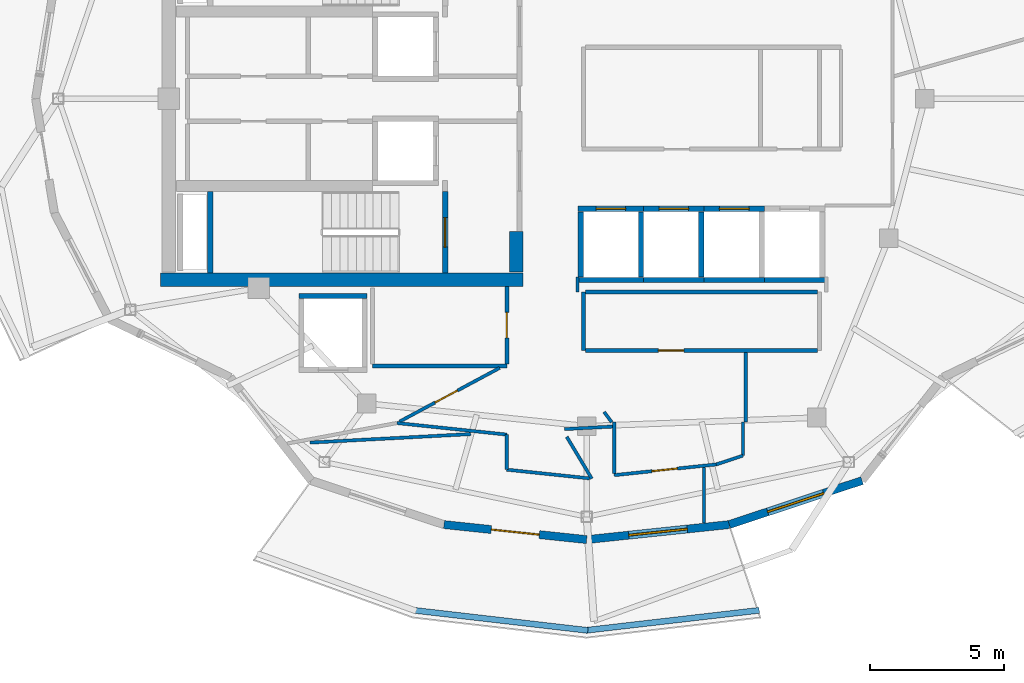
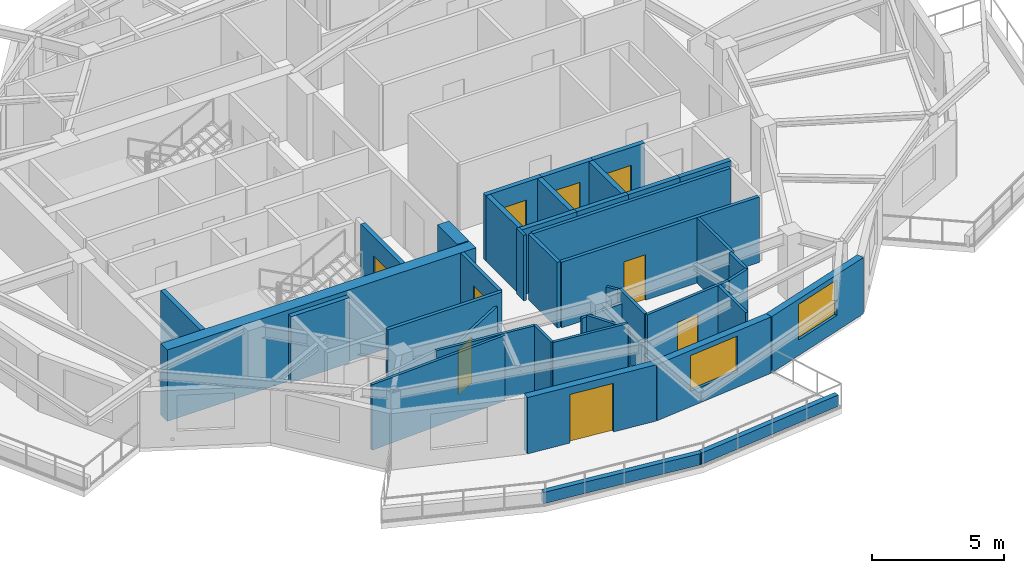
# One storey, part 3 of 11: 40 walls, 9 doors, 2 windows, 11 openings.
"""IFC4 building model written with IfcOpenShell, lengths in metres."""

from ifc_helpers import new_model, si_unit, direction, frame, frame_2d, origin, place, context, subcontext, project, spatial, rectangle, extrude, material, layer, layer_set, type_object, element, fill, save


model = new_model("IFC4")

# Units and contexts
model_context = context("Model", 3, precision=1e-05, world=origin(), true_north=direction((0.0, 1.0)))
body_context = subcontext(model_context, "Body", "Model", "MODEL_VIEW")
ifc_project = project(units=[si_unit("LENGTHUNIT", "METRE"), si_unit("AREAUNIT", "SQUARE_METRE"), si_unit("VOLUMEUNIT", "CUBIC_METRE"), si_unit("PLANEANGLEUNIT", "RADIAN"), si_unit("MASSUNIT", "GRAM", prefix="KILO")], contexts=[model_context])

# Site, building, storey
site_placement = place(None, origin())
site = spatial("IfcSite", under=ifc_project, at=site_placement, CompositionType="ELEMENT")
building_placement = place(site_placement, origin())
building = spatial("IfcBuilding", under=site, at=building_placement, Name="Kolvaren Gate Tower and Convention Centre", CompositionType="ELEMENT")
storey_placement = place(building_placement, frame((0.0, 0.0, 269.0)))
storey = spatial("IfcBuildingStorey", under=building, at=storey_placement, Name="L73", CompositionType="ELEMENT", Elevation=269.0)

# Walls
ifc_material_1 = material(Name="Fire-Rated Acoustic Gypsum Stud Partition", Category="gypsum")
ifc_layer_1 = layer(ifc_material_1, 0.1201171875)
ifc_layer_set_1 = layer_set([ifc_layer_1], Name="Fire-Rated Acoustic Gypsum Stud Partition")
wall_type_1 = type_object("IfcWallType", Name="ARCH-WL-PART-120", PredefinedType="PARTITIONING", material=ifc_layer_set_1)
wall_1_placement = place(storey_placement, frame((27.14990234375, 13.180908203125, 0.0), z_axis=(0.0, 0.0, 1.0), x_axis=(0.0, 1.0, 0.0)))
element("IfcWall", 1, at=wall_1_placement, inside=storey, type_object=wall_type_1, Name="Interior Partition WL-L73-INT-011", PredefinedType="PARTITIONING", context=body_context, shape_type="SweptSolid", body=[
    extrude(rectangle(XDim=1.30712890625, YDim=0.1201171875, at=frame_2d((0.653564453125, 0.0))), origin(), (0.0, 0.0, 1.0), 3.030029296875),
])
wall_2_placement = place(storey_placement, frame((29.780029296875, 19.800048828125, 0.0), z_axis=(0.0, 0.0, 1.0), x_axis=(0.0, 1.0, 0.0)))
element("IfcWall", 2, at=wall_2_placement, inside=storey, type_object=wall_type_1, Name="Interior Partition WL-L73-INT-037", PredefinedType="PARTITIONING", context=body_context, shape_type="SweptSolid", body=[
    extrude(rectangle(XDim=0.56005859375, YDim=0.1201171875, at=frame_2d((0.280029296875, 0.0))), origin(), (0.0, 0.0, 1.0), 3.030029296875),
])
wall_3_placement = place(storey_placement, frame((36.050048828125, 14.949951171875, 0.0), z_axis=(0.0, 0.0, 1.0), x_axis=(0.0, 1.0, 0.0)))
element("IfcWall", 3, at=wall_3_placement, inside=storey, type_object=wall_type_1, Name="Interior Partition WL-L73-INT-038", PredefinedType="PARTITIONING", context=body_context, shape_type="SweptSolid", body=[
    extrude(rectangle(XDim=2.593017578125, YDim=0.1201171875, at=frame_2d((1.29638671875, 0.0))), origin(), (0.0, 0.0, 1.0), 3.030029296875),
])
wall_4_placement = place(storey_placement, frame((35.949951171875, 13.7060546875, 0.0), z_axis=(0.0, 0.0, 1.0), x_axis=(0.0, 1.0, 0.0)))
element("IfcWall", 4, at=wall_4_placement, inside=storey, type_object=wall_type_1, Name="Interior Partition WL-L73-INT-039", PredefinedType="PARTITIONING", context=body_context, shape_type="SweptSolid", body=[
    extrude(rectangle(XDim=1.243896484375, YDim=0.1201171875, at=frame_2d((0.6220703125, 0.0))), origin(), (0.0, 0.0, 1.0), 3.030029296875),
])
wall_5_placement = place(storey_placement, frame((34.955078125, 13.3759765625, 0.0), z_axis=(0.0, 0.0, 1.0), x_axis=(0.949124905871, 0.314899846071, 0.0)))
element("IfcWall", 5, at=wall_5_placement, inside=storey, type_object=wall_type_1, Name="Interior Partition WL-L73-INT-040", PredefinedType="PARTITIONING", context=body_context, shape_type="SweptSolid", body=[
    extrude(rectangle(XDim=1.048095703125, YDim=0.1201171875, at=frame_2d((0.52392578125, 0.0))), origin(), (0.0, 0.0, 1.0), 3.030029296875),
])

# Wall, opening, door
wall_6_placement = place(storey_placement, frame((31.14990234375, 12.97607421875, 0.0), z_axis=(0.0, 0.0, 1.0), x_axis=(0.994522920899, 0.104518705533, 0.0)))
wall_6 = element("IfcWall", 6, at=wall_6_placement, inside=storey, type_object=wall_type_1, Name="Interior Partition WL-L73-INT-041", PredefinedType="PARTITIONING", context=body_context, shape_type="SweptSolid", body=[
    extrude(rectangle(XDim=3.826171875, YDim=0.1201171875, at=frame_2d((1.9130859375, 0.0))), origin(), (0.0, 0.0, 1.0), 3.030029296875),
])
opening_1_placement = place(wall_6_placement, frame((1.414794921875, 0.0, 0.0)))
opening_1 = element("IfcOpeningElement", 7, at=opening_1_placement, cuts=wall_6, Name="Opening DR-01", PredefinedType="OPENING", context=body_context, shape_type="SweptSolid", body=[
    extrude(rectangle(XDim=0.949951171875, YDim=2.10009765625, at=frame_2d((0.47509765625, 1.050048828125))), frame((0.0, 0.070068359375, 0.0), z_axis=(0.0, -1.0, 0.0), x_axis=(1.0, 0.0, 0.0)), (0.0, 0.0, 1.0), 0.14013671875),
])
ifc_material_2 = material(Name="Painted Architectural Steelwork ASTM A500 Grade C 345 MPa", Category="steel")
door_type_1 = type_object("IfcDoorType", Name="ARCH-DR-RISER-950", OperationType="SINGLE_SWING_RIGHT", PredefinedType="DOOR", material=ifc_material_2)
door_1_placement = place(opening_1_placement, origin())
door_1 = element("IfcDoor", 8, at=door_1_placement, inside=storey, type_object=door_type_1, Name="Sky Villa Concierge Foyer Door", OperationType="SINGLE_SWING_RIGHT", OverallHeight=2.10009765625, OverallWidth=0.949951171875, PredefinedType="DOOR", context=body_context, shape_type="SweptSolid", body=[
    extrude(rectangle(XDim=0.949951171875, YDim=2.10009765625, at=frame_2d((0.47509765625, 1.050048828125))), frame((0.0, 0.02490234375, 0.0), z_axis=(0.0, -1.0, 0.0), x_axis=(1.0, 0.0, 0.0)), (0.0, 0.0, 1.0), 0.050048828125),
])
fill(opening_1, door_1)

# Walls
wall_7_placement = place(storey_placement, frame((31.14990234375, 13.038330078125, 0.0), z_axis=(0.0, 0.0, 1.0), x_axis=(0.0, 1.0, 0.0)))
element("IfcWall", 9, at=wall_7_placement, inside=storey, type_object=wall_type_1, Name="Interior Partition WL-L73-INT-042", PredefinedType="PARTITIONING", context=body_context, shape_type="SweptSolid", body=[
    extrude(rectangle(XDim=1.91162109375, YDim=0.1201171875, at=frame_2d((0.955810546875, 0.0))), origin(), (0.0, 0.0, 1.0), 3.030029296875),
])
wall_8_placement = place(storey_placement, frame((30.77392578125, 15.3330078125, 0.0), z_axis=(0.0, 0.0, 1.0), x_axis=(0.595814974861, -0.803121731577, 0.0)))
element("IfcWall", 10, at=wall_8_placement, inside=storey, type_object=wall_type_1, Name="Interior Partition WL-L73-INT-043", PredefinedType="PARTITIONING", context=body_context, shape_type="SweptSolid", body=[
    extrude(rectangle(XDim=0.47705078125, YDim=0.1201171875, at=frame_2d((0.238525390625, 0.0))), origin(), (0.0, 0.0, 1.0), 3.030029296875),
])
wall_9_placement = place(storey_placement, frame((29.384033203125, 14.404052734375, 0.0), z_axis=(0.0, 0.0, 1.0), x_axis=(0.513922040123, -0.857836893982, 0.0)))
element("IfcWall", 11, at=wall_9_placement, inside=storey, type_object=wall_type_1, Name="Interior Partition WL-L73-INT-044", PredefinedType="PARTITIONING", context=body_context, shape_type="SweptSolid", body=[
    extrude(rectangle(XDim=1.815185546875, YDim=0.1201171875, at=frame_2d((0.90771484375, 0.0))), origin(), (0.0, 0.0, 1.0), 2.77001953125),
])
wall_10_placement = place(storey_placement, frame((27.14990234375, 13.180908203125, 0.0), z_axis=(0.0, 0.0, 1.0), x_axis=(0.994482609393, -0.104901571076, 0.0)))
element("IfcWall", 12, at=wall_10_placement, inside=storey, type_object=wall_type_1, Name="Interior Partition WL-L73-INT-045", PredefinedType="PARTITIONING", context=body_context, shape_type="SweptSolid", body=[
    extrude(rectangle(XDim=3.10693359375, YDim=0.1201171875, at=frame_2d((1.553466796875, 0.0))), origin(), (0.0, 0.0, 1.0), 3.030029296875),
])
wall_11_placement = place(storey_placement, frame((23.054931640625, 14.9189453125, 0.0), z_axis=(0.0, 0.0, 1.0), x_axis=(0.994509026122, -0.104650833548, 0.0)))
element("IfcWall", 13, at=wall_11_placement, inside=storey, type_object=wall_type_1, Name="Interior Partition WL-L73-INT-046", PredefinedType="PARTITIONING", context=body_context, shape_type="SweptSolid", body=[
    extrude(rectangle(XDim=4.11767578125, YDim=0.1201171875, at=frame_2d((2.058837890625, 0.0))), origin(), (0.0, 0.0, 1.0), 3.030029296875),
])

# Wall, opening, door
wall_12_placement = place(storey_placement, frame((23.152099609375, 14.97119140625, 0.0), z_axis=(0.0, 0.0, 1.0), x_axis=(0.881315415599, 0.472528452295, 0.0)))
wall_12 = element("IfcWall", 14, at=wall_12_placement, inside=storey, type_object=wall_type_1, Name="Interior Partition WL-L73-INT-047", PredefinedType="PARTITIONING", context=body_context, shape_type="SweptSolid", body=[
    extrude(rectangle(XDim=4.236083984375, YDim=0.1201171875, at=frame_2d((2.1181640625, 0.0))), origin(), (0.0, 0.0, 1.0), 2.47802734375),
])
opening_2_placement = place(wall_12_placement, frame((1.5029296875, 0.0, 0.0)))
opening_2 = element("IfcOpeningElement", 15, at=opening_2_placement, cuts=wall_12, Name="Opening DR-01", PredefinedType="OPENING", context=body_context, shape_type="SweptSolid", body=[
    extrude(rectangle(XDim=0.949951171875, YDim=2.10009765625, at=frame_2d((0.47509765625, 1.050048828125))), frame((0.0, 0.070068359375, 0.0), z_axis=(0.0, -1.0, 0.0), x_axis=(1.0, 0.0, 0.0)), (0.0, 0.0, 1.0), 0.14013671875),
])
door_2_placement = place(opening_2_placement, origin())
door_2 = element("IfcDoor", 16, at=door_2_placement, inside=storey, type_object=door_type_1, Name="Sky Villa Concierge Foyer Door", OperationType="SINGLE_SWING_LEFT", OverallHeight=2.10009765625, OverallWidth=0.949951171875, PredefinedType="DOOR", context=body_context, shape_type="SweptSolid", body=[
    extrude(rectangle(XDim=0.949951171875, YDim=2.10009765625, at=frame_2d((0.47509765625, 1.050048828125))), frame((0.0, 0.02490234375, 0.0), z_axis=(0.0, -1.0, 0.0), x_axis=(1.0, 0.0, 0.0)), (0.0, 0.0, 1.0), 0.050048828125),
])
fill(opening_2, door_2)

# Walls
wall_13_placement = place(storey_placement, frame((19.8173828125, 14.189208984375, 0.0), z_axis=(0.0, 0.0, 1.0), x_axis=(0.99859898764, 0.05291561097, 0.0)))
element("IfcWall", 17, at=wall_13_placement, inside=storey, type_object=wall_type_1, Name="Interior Partition WL-L73-INT-051", PredefinedType="PARTITIONING", context=body_context, shape_type="SweptSolid", body=[
    extrude(rectangle(XDim=5.997802734375, YDim=0.1201171875, at=frame_2d((2.9990234375, 0.0))), origin(), (0.0, 0.0, 1.0), 3.030029296875),
])
wall_14_placement = place(storey_placement, frame((29.29296875, 14.69140625, 0.0), z_axis=(0.0, 0.0, 1.0), x_axis=(0.998595981483, 0.052972311314, 0.0)))
element("IfcWall", 18, at=wall_14_placement, inside=storey, type_object=wall_type_1, Name="Interior Partition WL-L73-INT-052", PredefinedType="PARTITIONING", context=body_context, shape_type="SweptSolid", body=[
    extrude(rectangle(XDim=1.79736328125, YDim=0.1201171875, at=frame_2d((0.898681640625, 0.0))), origin(), (0.0, 0.0, 1.0), 2.47802734375),
])
wall_15_placement = place(storey_placement, frame((34.5, 11.188720703125, 0.0), z_axis=(0.0, 0.0, 1.0), x_axis=(0.0, 1.0, 0.0)))
element("IfcWall", 19, at=wall_15_placement, inside=storey, type_object=wall_type_1, Name="Interior Partition WL-L73-INT-053", PredefinedType="PARTITIONING", context=body_context, shape_type="SweptSolid", body=[
    extrude(rectangle(XDim=2.0771484375, YDim=0.1201171875, at=frame_2d((1.03857421875, 0.0))), origin(), (0.0, 0.0, 1.0), 3.030029296875),
])
ifc_material_3 = material(Name="Piedmont Cream Honed Limestone Cladding", Category="masonry")
ifc_layer_2 = layer(ifc_material_3, 0.219970703125)
ifc_layer_set_2 = layer_set([ifc_layer_2], Name="Piedmont Cream Honed Limestone Cladding")
wall_type_2 = type_object("IfcWallType", Name="ARCH-WL-PLANTER-220", PredefinedType="PARAPET", material=ifc_layer_set_2)
for number, where, z_axis, x_axis, name in (
    (20, (23.694091796875, 7.9404296875, 0.0), (0.0, 0.0, 1.0), (0.993378231371, -0.114889901378, 0.0), "Vertical-Forest Balcony Stone Planter Kerb PK-L73-3.2"),
    (21, (30.07958984375, 7.19140625, 0.0), (0.0, 0.0, 1.0), (0.993378231371, 0.114889901378, 0.0), "Vertical-Forest Balcony Stone Planter Kerb PK-L73-3.3"),
):
    element("IfcWall", number, at=place(storey_placement, frame(where, z_axis=z_axis, x_axis=x_axis)), inside=storey, type_object=wall_type_2, Name=name, PredefinedType="PARAPET", context=body_context, shape_type="SweptSolid", body=[
        extrude(rectangle(XDim=6.51953125, YDim=0.219970703125, at=frame_2d((3.259765625, 0.0))), origin(), (0.0, 0.0, 1.0), 0.52001953125),
    ])
ifc_material_4 = material(Name="Autoclaved Aerated Masonry Blockwork Class 4 (4.0 MPa)", Category="masonry")
ifc_layer_3 = layer(ifc_material_4, 0.199951171875)
ifc_layer_set_3 = layer_set([ifc_layer_3], Name="Autoclaved Aerated Masonry Blockwork Class 4 (4.0 MPa)")
wall_type_3 = type_object("IfcWallType", Name="ARCH-WL-SHAFT-200", PredefinedType="SOLIDWALL", material=ifc_layer_set_3)
wall_16_placement = place(storey_placement, frame((19.39990234375, 19.64990234375, 0.0), z_axis=(0.0, 0.0, 1.0), x_axis=(1.0, 0.0, 0.0)))
element("IfcWall", 22, at=wall_16_placement, inside=storey, type_object=wall_type_3, Name="Elevator SV-01 L73 Fire Shaft Wall N", PredefinedType="SOLIDWALL", context=body_context, shape_type="SweptSolid", body=[
    extrude(rectangle(XDim=2.550048828125, YDim=0.199951171875, at=frame_2d((1.27490234375, 0.0))), origin(), (0.0, 0.0, 1.0), 3.030029296875),
])

# Wall, opening, door
wall_17_placement = place(storey_placement, frame((29.800048828125, 22.89990234375, 0.0), z_axis=(0.0, 0.0, 1.0), x_axis=(1.0, 0.0, 0.0)))
wall_17 = element("IfcWall", 23, at=wall_17_placement, inside=storey, type_object=wall_type_3, Name="Elevator PL-09 L73 Fire Shaft Wall N", PredefinedType="SOLIDWALL", context=body_context, shape_type="SweptSolid", body=[
    extrude(rectangle(XDim=2.449951171875, YDim=0.199951171875, at=frame_2d((1.22509765625, 0.0))), origin(), (0.0, 0.0, 1.0), 3.030029296875),
])
opening_3_placement = place(wall_17_placement, frame((0.675048828125, 0.0, 0.0)))
opening_3 = element("IfcOpeningElement", 24, at=opening_3_placement, cuts=wall_17, Name="Opening LD", PredefinedType="OPENING", context=body_context, shape_type="SweptSolid", body=[
    extrude(rectangle(XDim=1.10009765625, YDim=2.199951171875, at=frame_2d((0.550048828125, 1.10009765625))), frame((0.0, 0.10986328125, 0.0), z_axis=(0.0, -1.0, 0.0), x_axis=(1.0, 0.0, 0.0)), (0.0, 0.0, 1.0), 0.219970703125),
])
ifc_material_5 = material(Name="Brushed Stainless Steel Grade 316L", Category="steel")
door_type_2 = type_object("IfcDoorType", Name="ARCH-DR-LIFT-1100", OperationType="SLIDING_TO_LEFT", PredefinedType="DOOR", material=ifc_material_5)
door_3_placement = place(opening_3_placement, origin())
door_3 = element("IfcDoor", 25, at=door_3_placement, inside=storey, type_object=door_type_2, Name="Elevator PL-09 L73 Sliding Landing Door", OperationType="SLIDING_TO_LEFT", OverallHeight=2.199951171875, OverallWidth=1.10009765625, PredefinedType="DOOR", context=body_context, shape_type="SweptSolid", body=[
    extrude(rectangle(XDim=1.10009765625, YDim=2.199951171875, at=frame_2d((0.550048828125, 1.10009765625))), frame((0.0, 0.02490234375, 0.0), z_axis=(0.0, -1.0, 0.0), x_axis=(1.0, 0.0, 0.0)), (0.0, 0.0, 1.0), 0.050048828125),
])
fill(opening_3, door_3)

# Walls
wall_18_placement = place(storey_placement, frame((29.800048828125, 20.25, 0.0), z_axis=(0.0, 0.0, 1.0), x_axis=(1.0, 0.0, 0.0)))
element("IfcWall", 26, at=wall_18_placement, inside=storey, type_object=wall_type_3, Name="Elevator PL-09 L73 Fire Shaft Wall S", PredefinedType="SOLIDWALL", context=body_context, shape_type="SweptSolid", body=[
    extrude(rectangle(XDim=2.449951171875, YDim=0.199951171875, at=frame_2d((1.22509765625, 0.0))), origin(), (0.0, 0.0, 1.0), 3.030029296875),
])
for number, where, z_axis, x_axis, name in (
    (27, (29.89990234375, 20.360107421875, 0.0), (0.0, 0.0, 1.0), (0.0, 1.0, 0.0), "Elevator PL-09 L73 Fire Shaft Wall W"),
    (28, (32.14990234375, 20.360107421875, 0.0), (0.0, 0.0, 1.0), (0.0, 1.0, 0.0), "Elevator PL-09 L73 Fire Shaft Wall E"),
):
    element("IfcWall", number, at=place(storey_placement, frame(where, z_axis=z_axis, x_axis=x_axis)), inside=storey, type_object=wall_type_3, Name=name, PredefinedType="SOLIDWALL", context=body_context, shape_type="SweptSolid", body=[
        extrude(rectangle(XDim=2.429931640625, YDim=0.199951171875, at=frame_2d((1.21484375, 0.0))), origin(), (0.0, 0.0, 1.0), 3.030029296875),
    ])

# Wall, opening, door
wall_19_placement = place(storey_placement, frame((32.25, 22.89990234375, 0.0), z_axis=(0.0, 0.0, 1.0), x_axis=(1.0, 0.0, 0.0)))
wall_19 = element("IfcWall", 29, at=wall_19_placement, inside=storey, type_object=wall_type_3, Name="Elevator PL-10 L73 Fire Shaft Wall N", PredefinedType="SOLIDWALL", context=body_context, shape_type="SweptSolid", body=[
    extrude(rectangle(XDim=2.25, YDim=0.199951171875, at=frame_2d((1.125, 0.0))), origin(), (0.0, 0.0, 1.0), 3.030029296875),
])
opening_4_placement = place(wall_19_placement, frame((0.574951171875, 0.0, 0.0)))
opening_4 = element("IfcOpeningElement", 30, at=opening_4_placement, cuts=wall_19, Name="Opening LD", PredefinedType="OPENING", context=body_context, shape_type="SweptSolid", body=[
    extrude(rectangle(XDim=1.10009765625, YDim=2.199951171875, at=frame_2d((0.550048828125, 1.10009765625))), frame((0.0, 0.10986328125, 0.0), z_axis=(0.0, -1.0, 0.0), x_axis=(1.0, 0.0, 0.0)), (0.0, 0.0, 1.0), 0.219970703125),
])
door_4_placement = place(opening_4_placement, origin())
door_4 = element("IfcDoor", 31, at=door_4_placement, inside=storey, type_object=door_type_2, Name="Elevator PL-10 L73 Sliding Landing Door", OperationType="SLIDING_TO_LEFT", OverallHeight=2.199951171875, OverallWidth=1.10009765625, PredefinedType="DOOR", context=body_context, shape_type="SweptSolid", body=[
    extrude(rectangle(XDim=1.10009765625, YDim=2.199951171875, at=frame_2d((0.550048828125, 1.10009765625))), frame((0.0, 0.02490234375, 0.0), z_axis=(0.0, -1.0, 0.0), x_axis=(1.0, 0.0, 0.0)), (0.0, 0.0, 1.0), 0.050048828125),
])
fill(opening_4, door_4)

# Walls
wall_20_placement = place(storey_placement, frame((32.25, 20.25, 0.0), z_axis=(0.0, 0.0, 1.0), x_axis=(1.0, 0.0, 0.0)))
element("IfcWall", 32, at=wall_20_placement, inside=storey, type_object=wall_type_3, Name="Elevator PL-10 L73 Fire Shaft Wall S", PredefinedType="SOLIDWALL", context=body_context, shape_type="SweptSolid", body=[
    extrude(rectangle(XDim=2.25, YDim=0.199951171875, at=frame_2d((1.125, 0.0))), origin(), (0.0, 0.0, 1.0), 3.030029296875),
])
wall_21_placement = place(storey_placement, frame((34.39990234375, 20.360107421875, 0.0), z_axis=(0.0, 0.0, 1.0), x_axis=(0.0, 1.0, 0.0)))
element("IfcWall", 33, at=wall_21_placement, inside=storey, type_object=wall_type_3, Name="Elevator PL-10 L73 Fire Shaft Wall E", PredefinedType="SOLIDWALL", context=body_context, shape_type="SweptSolid", body=[
    extrude(rectangle(XDim=2.429931640625, YDim=0.199951171875, at=frame_2d((1.21484375, 0.0))), origin(), (0.0, 0.0, 1.0), 3.030029296875),
])

# Wall, opening, door
wall_22_placement = place(storey_placement, frame((34.5, 22.89990234375, 0.0), z_axis=(0.0, 0.0, 1.0), x_axis=(1.0, 0.0, 0.0)))
wall_22 = element("IfcWall", 34, at=wall_22_placement, inside=storey, type_object=wall_type_3, Name="Elevator PL-11 L73 Fire Shaft Wall N", PredefinedType="SOLIDWALL", context=body_context, shape_type="SweptSolid", body=[
    extrude(rectangle(XDim=2.25, YDim=0.199951171875, at=frame_2d((1.125, 0.0))), origin(), (0.0, 0.0, 1.0), 3.030029296875),
])
opening_5_placement = place(wall_22_placement, frame((0.574951171875, 0.0, 0.0)))
opening_5 = element("IfcOpeningElement", 35, at=opening_5_placement, cuts=wall_22, Name="Opening LD", PredefinedType="OPENING", context=body_context, shape_type="SweptSolid", body=[
    extrude(rectangle(XDim=1.10009765625, YDim=2.199951171875, at=frame_2d((0.550048828125, 1.10009765625))), frame((0.0, 0.10986328125, 0.0), z_axis=(0.0, -1.0, 0.0), x_axis=(1.0, 0.0, 0.0)), (0.0, 0.0, 1.0), 0.219970703125),
])
door_5_placement = place(opening_5_placement, origin())
door_5 = element("IfcDoor", 36, at=door_5_placement, inside=storey, type_object=door_type_2, Name="Elevator PL-11 L73 Sliding Landing Door", OperationType="SLIDING_TO_LEFT", OverallHeight=2.199951171875, OverallWidth=1.10009765625, PredefinedType="DOOR", context=body_context, shape_type="SweptSolid", body=[
    extrude(rectangle(XDim=1.10009765625, YDim=2.199951171875, at=frame_2d((0.550048828125, 1.10009765625))), frame((0.0, 0.02490234375, 0.0), z_axis=(0.0, -1.0, 0.0), x_axis=(1.0, 0.0, 0.0)), (0.0, 0.0, 1.0), 0.050048828125),
])
fill(opening_5, door_5)

# Walls
for number, where, z_axis, x_axis, name in (
    (37, (34.5, 20.25, 0.0), (0.0, 0.0, 1.0), (1.0, 0.0, 0.0), "Elevator PL-11 L73 Fire Shaft Wall S"),
    (38, (36.75, 20.25, 0.0), (0.0, 0.0, 1.0), (1.0, 0.0, 0.0), "Elevator PL-12 L73 Fire Shaft Wall S"),
):
    element("IfcWall", number, at=place(storey_placement, frame(where, z_axis=z_axis, x_axis=x_axis)), inside=storey, type_object=wall_type_3, Name=name, PredefinedType="SOLIDWALL", context=body_context, shape_type="SweptSolid", body=[
        extrude(rectangle(XDim=2.25, YDim=0.199951171875, at=frame_2d((1.125, 0.0))), origin(), (0.0, 0.0, 1.0), 3.030029296875),
    ])

# Wall, opening, door
ifc_layer_4 = layer(ifc_material_3, 0.300048828125)
ifc_layer_set_4 = layer_set([ifc_layer_4], Name="Piedmont Cream Honed Limestone Cladding")
wall_type_4 = type_object("IfcWallType", Name="ARCH-WL-STONE-300", PredefinedType="SOLIDWALL", material=ifc_layer_set_4)
wall_23_placement = place(storey_placement, frame((24.81103515625, 11.134765625, 0.0), z_axis=(0.0, 0.0, 1.0), x_axis=(0.9944966869, -0.104768028258, 0.0)))
wall_23 = element("IfcWall", 39, at=wall_23_placement, inside=storey, type_object=wall_type_4, Name="Tower L73 Honed Stone Spandrel Wall EW-17", PredefinedType="SOLIDWALL", context=body_context, shape_type="SweptSolid", body=[
    extrude(rectangle(XDim=5.34326171875, YDim=0.300048828125, at=frame_2d((2.671630859375, 0.0))), origin(), (0.0, 0.0, 1.0), 2.60498046875),
])
opening_6_placement = place(wall_23_placement, frame((1.77197265625, 0.0, 0.0)))
opening_6 = element("IfcOpeningElement", 40, at=opening_6_placement, cuts=wall_23, Name="Opening DB-01", PredefinedType="OPENING", context=body_context, shape_type="SweptSolid", body=[
    extrude(rectangle(XDim=1.800048828125, YDim=2.25, at=frame_2d((0.89990234375, 1.125))), frame((0.0, 0.159912109375, 0.0), z_axis=(0.0, -1.0, 0.0), x_axis=(1.0, 0.0, 0.0)), (0.0, 0.0, 1.0), 0.320068359375),
])
ifc_material_6 = material(Name="Anodized Architectural Aluminium Alloy 6063-T6", Category="aluminium")
door_type_3 = type_object("IfcDoorType", Name="ARCH-DR-BALC-1800", OperationType="SLIDING_TO_LEFT", PredefinedType="DOOR", material=ifc_material_6)
door_6_placement = place(opening_6_placement, frame((1.800048828125, 0.0, 0.0), z_axis=(0.0, 0.0, 1.0), x_axis=(-1.0, 0.0, 0.0)))
door_6 = element("IfcDoor", 41, at=door_6_placement, inside=storey, type_object=door_type_3, Name="Planted Sky Terrace Access Door DB-L73-17", OperationType="SLIDING_TO_LEFT", OverallHeight=2.25, OverallWidth=1.800048828125, PredefinedType="DOOR", context=body_context, shape_type="SweptSolid", body=[
    extrude(rectangle(XDim=1.800048828125, YDim=2.25, at=frame_2d((0.89990234375, 1.125))), frame((0.0, 0.02490234375, 0.0), z_axis=(0.0, -1.0, 0.0), x_axis=(1.0, 0.0, 0.0)), (0.0, 0.0, 1.0), 0.050048828125),
])
fill(opening_6, door_6)

# Wall, opening, window
wall_24_placement = place(storey_placement, frame((30.125, 10.574951171875, 0.0), z_axis=(0.0, 0.0, 1.0), x_axis=(0.9944966869, 0.104768028258, 0.0)))
wall_24 = element("IfcWall", 42, at=wall_24_placement, inside=storey, type_object=wall_type_4, Name="Tower L73 Honed Stone Spandrel Wall EW-18", PredefinedType="SOLIDWALL", context=body_context, shape_type="SweptSolid", body=[
    extrude(rectangle(XDim=5.34326171875, YDim=0.300048828125, at=frame_2d((2.671630859375, 0.0))), origin(), (0.0, 0.0, 1.0), 2.60498046875),
])
opening_7_placement = place(wall_24_placement, frame((1.572021484375, 0.0, 0.719970703125)))
opening_7 = element("IfcOpeningElement", 43, at=opening_7_placement, cuts=wall_24, Name="Opening W-03", PredefinedType="OPENING", context=body_context, shape_type="SweptSolid", body=[
    extrude(rectangle(XDim=2.199951171875, YDim=1.64990234375, at=frame_2d((1.10009765625, 0.824951171875))), frame((0.0, 0.159912109375, 0.0), z_axis=(0.0, -1.0, 0.0), x_axis=(1.0, 0.0, 0.0)), (0.0, 0.0, 1.0), 0.320068359375),
])
ifc_material_7 = material(Name="Low-E Triple Insulated Glazing Unit 44 mm", Category="glass")
window_type = type_object("IfcWindowType", Name="ARCH-WN-RES-2200", PartitioningType="SINGLE_PANEL", PredefinedType="WINDOW", material=ifc_material_7)
window_1_placement = place(opening_7_placement, origin())
window_1 = element("IfcWindow", 44, at=window_1_placement, inside=storey, type_object=window_type, Name="Tower L73 Punched Stone Facade Window W-18", OverallHeight=1.64990234375, OverallWidth=2.199951171875, PartitioningType="SINGLE_PANEL", PredefinedType="WINDOW", context=body_context, shape_type="SweptSolid", body=[
    extrude(rectangle(XDim=2.199951171875, YDim=1.64990234375, at=frame_2d((1.10009765625, 0.824951171875))), frame((0.0, 0.030029296875, 0.0), z_axis=(0.0, -1.0, 0.0), x_axis=(1.0, 0.0, 0.0)), (0.0, 0.0, 1.0), 0.06005859375),
])
fill(opening_7, window_1)

wall_25_placement = place(storey_placement, frame((35.43896484375, 11.134765625, 0.0), z_axis=(0.0, 0.0, 1.0), x_axis=(0.949252744709, 0.314514271001, 0.0)))
wall_25 = element("IfcWall", 45, at=wall_25_placement, inside=storey, type_object=wall_type_4, Name="Tower L73 Honed Stone Spandrel Wall EW-19", PredefinedType="SOLIDWALL", context=body_context, shape_type="SweptSolid", body=[
    extrude(rectangle(XDim=5.21630859375, YDim=0.300048828125, at=frame_2d((2.608154296875, 0.0))), origin(), (0.0, 0.0, 1.0), 2.60498046875),
])
opening_8_placement = place(wall_25_placement, frame((1.508056640625, 0.0, 0.719970703125)))
opening_8 = element("IfcOpeningElement", 46, at=opening_8_placement, cuts=wall_25, Name="Opening W-03", PredefinedType="OPENING", context=body_context, shape_type="SweptSolid", body=[
    extrude(rectangle(XDim=2.199951171875, YDim=1.64990234375, at=frame_2d((1.10009765625, 0.824951171875))), frame((0.0, 0.159912109375, 0.0), z_axis=(0.0, -1.0, 0.0), x_axis=(1.0, 0.0, 0.0)), (0.0, 0.0, 1.0), 0.320068359375),
])
window_2_placement = place(opening_8_placement, origin())
window_2 = element("IfcWindow", 47, at=window_2_placement, inside=storey, type_object=window_type, Name="Tower L73 Punched Stone Facade Window W-19", OverallHeight=1.64990234375, OverallWidth=2.199951171875, PartitioningType="SINGLE_PANEL", PredefinedType="WINDOW", context=body_context, shape_type="SweptSolid", body=[
    extrude(rectangle(XDim=2.199951171875, YDim=1.64990234375, at=frame_2d((1.10009765625, 0.824951171875))), frame((0.0, 0.030029296875, 0.0), z_axis=(0.0, -1.0, 0.0), x_axis=(1.0, 0.0, 0.0)), (0.0, 0.0, 1.0), 0.06005859375),
])
fill(opening_8, window_2)

# Wall
ifc_material_8 = material(Name="Moisture-Resistant Cement-Board Acoustic Partition", Category="gypsum")
ifc_layer_5 = layer(ifc_material_8, 0.14990234375)
ifc_layer_set_5 = layer_set([ifc_layer_5], Name="Moisture-Resistant Cement-Board Acoustic Partition")
wall_type_5 = type_object("IfcWallType", Name="ARCH-WL-WET-150", PredefinedType="PARTITIONING", material=ifc_layer_set_5)
wall_26_placement = place(storey_placement, frame((22.14990234375, 17.050048828125, 0.0), z_axis=(0.0, 0.0, 1.0), x_axis=(1.0, 0.0, 0.0)))
element("IfcWall", 48, at=wall_26_placement, inside=storey, type_object=wall_type_5, Name="Interior Partition WL-L73-INT-009", PredefinedType="PARTITIONING", context=body_context, shape_type="SweptSolid", body=[
    extrude(rectangle(XDim=5.0, YDim=0.14990234375, at=frame_2d((2.5, 0.0))), origin(), (0.0, 0.0, 1.0), 3.030029296875),
])

# Wall, opening, door
wall_27_placement = place(storey_placement, frame((27.14990234375, 17.126953125, 0.0), z_axis=(0.0, 0.0, 1.0), x_axis=(0.0, 1.0, 0.0)))
wall_27 = element("IfcWall", 49, at=wall_27_placement, inside=storey, type_object=wall_type_5, Name="Interior Partition WL-L73-INT-012", PredefinedType="PARTITIONING", context=body_context, shape_type="SweptSolid", body=[
    extrude(rectangle(XDim=2.87109375, YDim=0.14990234375, at=frame_2d((1.435546875, 0.0))), origin(), (0.0, 0.0, 1.0), 3.030029296875),
])
opening_9_placement = place(wall_27_placement, frame((0.96044921875, 0.0, 0.0)))
opening_9 = element("IfcOpeningElement", 50, at=opening_9_placement, cuts=wall_27, Name="Opening DR-01", PredefinedType="OPENING", context=body_context, shape_type="SweptSolid", body=[
    extrude(rectangle(XDim=0.949951171875, YDim=2.10009765625, at=frame_2d((0.47509765625, 1.050048828125))), frame((0.0, 0.0849609375, 0.0), z_axis=(0.0, -1.0, 0.0), x_axis=(1.0, 0.0, 0.0)), (0.0, 0.0, 1.0), 0.169921875),
])
door_7_placement = place(opening_9_placement, origin())
door_7 = element("IfcDoor", 51, at=door_7_placement, inside=storey, type_object=door_type_1, Name="West Linen and Supply Store Door", OperationType="SINGLE_SWING_RIGHT", OverallHeight=2.10009765625, OverallWidth=0.949951171875, PredefinedType="DOOR", context=body_context, shape_type="SweptSolid", body=[
    extrude(rectangle(XDim=0.949951171875, YDim=2.10009765625, at=frame_2d((0.47509765625, 1.050048828125))), frame((0.0, 0.02490234375, 0.0), z_axis=(0.0, -1.0, 0.0), x_axis=(1.0, 0.0, 0.0)), (0.0, 0.0, 1.0), 0.050048828125),
])
fill(opening_9, door_7)

# Wall
wall_28_placement = place(storey_placement, frame((30.0, 17.6201171875, 0.0), z_axis=(0.0, 0.0, 1.0), x_axis=(0.0, 1.0, 0.0)))
element("IfcWall", 52, at=wall_28_placement, inside=storey, type_object=wall_type_5, Name="Interior Partition WL-L73-INT-015", PredefinedType="PARTITIONING", context=body_context, shape_type="SweptSolid", body=[
    extrude(rectangle(XDim=2.179931640625, YDim=0.14990234375, at=frame_2d((1.08984375, 0.0))), origin(), (0.0, 0.0, 1.0), 3.030029296875),
])

# Wall, opening, door
wall_29_placement = place(storey_placement, frame((30.076904296875, 17.6201171875, 0.0), z_axis=(0.0, 0.0, 1.0), x_axis=(1.0, 0.0, 0.0)))
wall_29 = element("IfcWall", 53, at=wall_29_placement, inside=storey, type_object=wall_type_5, Name="Interior Partition WL-L73-INT-027", PredefinedType="PARTITIONING", context=body_context, shape_type="SweptSolid", body=[
    extrude(rectangle(XDim=8.64599609375, YDim=0.14990234375, at=frame_2d((4.322998046875, 0.0))), origin(), (0.0, 0.0, 1.0), 3.030029296875),
])
opening_10_placement = place(wall_29_placement, frame((2.716552734375, 0.0, 0.0)))
opening_10 = element("IfcOpeningElement", 54, at=opening_10_placement, cuts=wall_29, Name="Opening DR-01", PredefinedType="OPENING", context=body_context, shape_type="SweptSolid", body=[
    extrude(rectangle(XDim=0.949951171875, YDim=2.10009765625, at=frame_2d((0.47509765625, 1.050048828125))), frame((0.0, 0.0849609375, 0.0), z_axis=(0.0, -1.0, 0.0), x_axis=(1.0, 0.0, 0.0)), (0.0, 0.0, 1.0), 0.169921875),
])
door_8_placement = place(opening_10_placement, origin())
door_8 = element("IfcDoor", 55, at=door_8_placement, inside=storey, type_object=door_type_1, Name="Resident Luggage Store Door", OperationType="SINGLE_SWING_LEFT", OverallHeight=2.10009765625, OverallWidth=0.949951171875, PredefinedType="DOOR", context=body_context, shape_type="SweptSolid", body=[
    extrude(rectangle(XDim=0.949951171875, YDim=2.10009765625, at=frame_2d((0.47509765625, 1.050048828125))), frame((0.0, 0.02490234375, 0.0), z_axis=(0.0, -1.0, 0.0), x_axis=(1.0, 0.0, 0.0)), (0.0, 0.0, 1.0), 0.050048828125),
])
fill(opening_10, door_8)

# Walls
wall_30_placement = place(storey_placement, frame((30.076904296875, 19.800048828125, 0.0), z_axis=(0.0, 0.0, 1.0), x_axis=(1.0, 0.0, 0.0)))
element("IfcWall", 56, at=wall_30_placement, inside=storey, type_object=wall_type_5, Name="Interior Partition WL-L73-INT-028", PredefinedType="PARTITIONING", context=body_context, shape_type="SweptSolid", body=[
    extrude(rectangle(XDim=8.64599609375, YDim=0.14990234375, at=frame_2d((4.322998046875, 0.0))), origin(), (0.0, 0.0, 1.0), 3.030029296875),
])
ifc_material_9 = material(Name="Concrete C50/60", Category="concrete")
ifc_layer_6 = layer(ifc_material_9, 0.5)
ifc_layer_set_6 = layer_set([ifc_layer_6], Name="Concrete C50/60")
wall_type_6 = type_object("IfcWallType", Name="STR-WL-CORE-500", PredefinedType="SHEAR", material=ifc_layer_set_6)
wall_31_placement = place(storey_placement, frame((14.25, 20.25, -0.27001953125), z_axis=(0.0, 0.0, 1.0), x_axis=(1.0, 0.0, 0.0)))
element("IfcWall", 57, at=wall_31_placement, inside=storey, type_object=wall_type_6, Name="Tower L73 Offset Core Shear Wall S", PredefinedType="SHEAR", context=body_context, shape_type="SweptSolid", body=[
    extrude(rectangle(XDim=13.5, YDim=0.5, at=frame_2d((6.75, 0.0))), origin(), (0.0, 0.0, 1.0), 3.300048828125),
])
wall_32_placement = place(storey_placement, frame((27.5, 20.550048828125, -0.27001953125), z_axis=(0.0, 0.0, 1.0), x_axis=(0.0, 1.0, 0.0)))
element("IfcWall", 58, at=wall_32_placement, inside=storey, type_object=wall_type_6, Name="Tower L73 Offset Core Shear Wall ES", PredefinedType="SHEAR", context=body_context, shape_type="SweptSolid", body=[
    extrude(rectangle(XDim=1.5, YDim=0.5, at=frame_2d((0.75, 0.0))), origin(), (0.0, 0.0, 1.0), 3.300048828125),
])

# Wall, opening, door
ifc_layer_7 = layer(ifc_material_9, 0.199951171875)
ifc_layer_set_7 = layer_set([ifc_layer_7], Name="Concrete C50/60")
wall_type_7 = type_object("IfcWallType", Name="STR-WL-SHAFT-200", PredefinedType="SHEAR", material=ifc_layer_set_7)
wall_33_placement = place(storey_placement, frame((24.85009765625, 20.501953125, -0.27001953125), z_axis=(0.0, 0.0, 1.0), x_axis=(0.0, 1.0, 0.0)))
wall_33 = element("IfcWall", 59, at=wall_33_placement, inside=storey, type_object=wall_type_7, Name="Tower South Exit Stair ST-T2 L73 Structural Shear Enclosure Wall NEAR", PredefinedType="SHEAR", context=body_context, shape_type="SweptSolid", body=[
    extrude(rectangle(XDim=3.0380859375, YDim=0.199951171875, at=frame_2d((1.51904296875, 0.0))), origin(), (0.0, 0.0, 1.0), 3.300048828125),
])
opening_11_placement = place(wall_33_placement, frame((0.968994140625, 0.0, 0.27001953125)))
opening_11 = element("IfcOpeningElement", 60, at=opening_11_placement, cuts=wall_33, Name="Opening DS-01", PredefinedType="OPENING", context=body_context, shape_type="SweptSolid", body=[
    extrude(rectangle(XDim=1.10009765625, YDim=2.14990234375, at=frame_2d((0.550048828125, 1.074951171875))), frame((0.0, 0.10986328125, 0.0), z_axis=(0.0, -1.0, 0.0), x_axis=(1.0, 0.0, 0.0)), (0.0, 0.0, 1.0), 0.219970703125),
])
door_type_4 = type_object("IfcDoorType", Name="ARCH-DR-STAIR-1100", OperationType="SINGLE_SWING_LEFT", PredefinedType="DOOR", material=ifc_material_2)
door_9_placement = place(opening_11_placement, origin())
door_9 = element("IfcDoor", 61, at=door_9_placement, inside=storey, type_object=door_type_4, Name="Tower South Exit Stair ST-T2 L73 Fire Exit Stair Door", OperationType="SINGLE_SWING_LEFT", OverallHeight=2.14990234375, OverallWidth=1.10009765625, PredefinedType="DOOR", context=body_context, shape_type="SweptSolid", body=[
    extrude(rectangle(XDim=1.10009765625, YDim=2.14990234375, at=frame_2d((0.550048828125, 1.074951171875))), frame((0.0, 0.02490234375, 0.0), z_axis=(0.0, -1.0, 0.0), x_axis=(1.0, 0.0, 0.0)), (0.0, 0.0, 1.0), 0.050048828125),
])
fill(opening_11, door_9)

# Wall
wall_34_placement = place(storey_placement, frame((16.10009765625, 20.501953125, -0.27001953125), z_axis=(0.0, 0.0, 1.0), x_axis=(0.0, 1.0, 0.0)))
element("IfcWall", 62, at=wall_34_placement, inside=storey, type_object=wall_type_7, Name="Tower South Exit Stair ST-T2 L73 Structural Shear Enclosure Wall FAR", PredefinedType="SHEAR", context=body_context, shape_type="SweptSolid", body=[
    extrude(rectangle(XDim=3.0361328125, YDim=0.199951171875, at=frame_2d((1.51806640625, 0.0))), origin(), (0.0, 0.0, 1.0), 3.300048828125),
])

save(model, "model.ifc")
